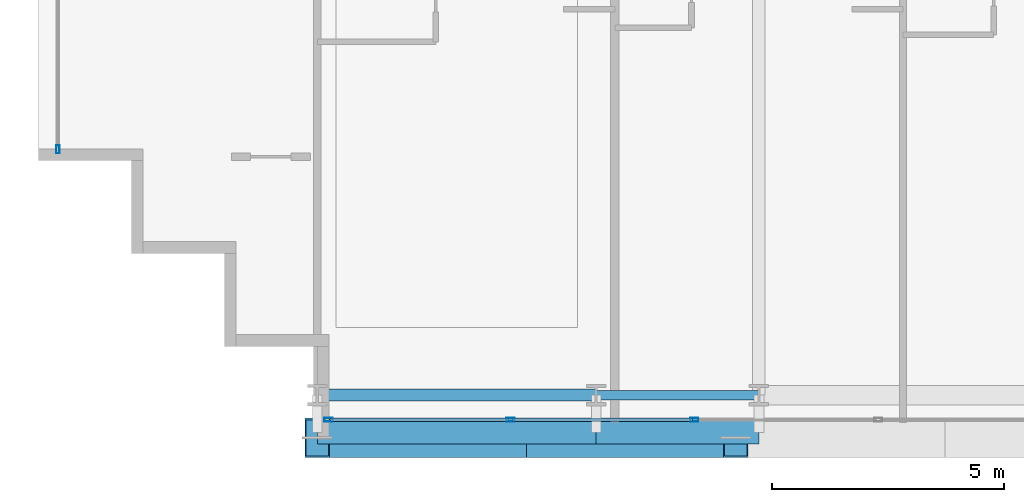
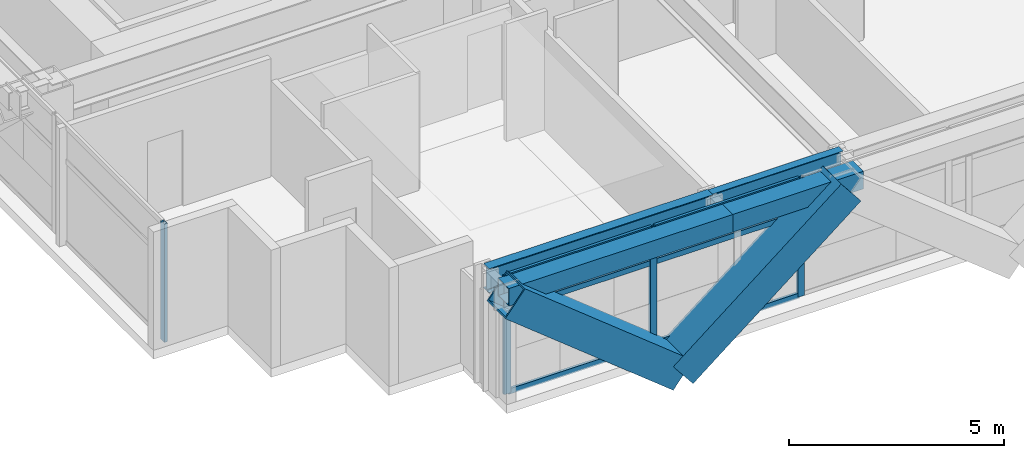
# One storey, part 2 of 38: 12 members, 4 beams, 2 elements without a shape of their own.
"""IFC4 building model written with IfcOpenShell, lengths in metres."""

from ifc_helpers import new_model, si_unit, direction, frame, origin, origin_2d, place, context, subcontext, project, spatial, hollow_rectangle, i_section, extrude, source, transform, mapped, material, layer, layer_set, material_profile, profile_set, type_object, element, aggregate, save


model = new_model("IFC4")

# Units and contexts
model_context = context("Model", 3, precision=1e-05, world=origin(), true_north=direction((0.0, 1.0)))
body_context = subcontext(model_context, "Body", "Model", "MODEL_VIEW")
ifc_project = project(units=[si_unit("LENGTHUNIT", "METRE"), si_unit("AREAUNIT", "SQUARE_METRE"), si_unit("VOLUMEUNIT", "CUBIC_METRE"), si_unit("PLANEANGLEUNIT", "RADIAN"), si_unit("MASSUNIT", "GRAM", prefix="KILO")], contexts=[model_context])

# Site, building, storey
site_placement = place(None, origin())
site = spatial("IfcSite", under=ifc_project, at=site_placement, CompositionType="ELEMENT")
building_placement = place(site_placement, origin())
building = spatial("IfcBuilding", under=site, at=building_placement, Name="Ocotamira Hotel", CompositionType="ELEMENT")
storey_placement = place(building_placement, frame((0.0, 0.0, 45.60009765625)))
storey = spatial("IfcBuildingStorey", under=building, at=storey_placement, Name="L10", CompositionType="ELEMENT", Elevation=45.60009765625)

# Beams
ifc_material_1 = material(Name="Steel ASTM A992 Grade 50", Category="steel")
ifc_material_profile_1 = material_profile(ifc_material_1, i_section(OverallWidth=0.256103515625, OverallDepth=0.693115234375, WebThickness=0.014404296875, FlangeThickness=0.023681640625, FilletRadius=0.01611328125, at=origin_2d()), Name="W27X114")
ifc_profile_set_1 = profile_set([ifc_material_profile_1], Name="Steel ASTM A992 Grade 50")
beam_type_1 = type_object("IfcBeamType", Name="BM-PRIM-W27X114", PredefinedType="BEAM", material=ifc_profile_set_1)
shared_shape_1 = source(origin(), body_context, "Body", "SweptSolid", [
    extrude(i_section(OverallWidth=0.256103515625, OverallDepth=0.693115234375, WebThickness=0.014404296875, FlangeThickness=0.023681640625, FilletRadius=0.01611328125, at=origin_2d()), origin(), (0.0, 0.0, 1.0), 6.0),
])
beam_1_placement = place(storey_placement, frame((14.0, 2.949951171875, 3.00341796875), z_axis=(1.0, 0.0, 0.0), x_axis=(0.0, 1.0, 0.0)))
element("IfcBeam", 1, at=beam_1_placement, inside=storey, type_object=beam_type_1, Name="L10 Girder Y2.95 X14-20", PredefinedType="BEAM", context=body_context, shape_type="MappedRepresentation", body=[
    mapped(shared_shape_1, transform((0.0, 0.0, 0.0), scale=1.0)),
])
ifc_material_profile_2 = material_profile(ifc_material_1, i_section(OverallWidth=0.2099609375, OverallDepth=0.537109375, WebThickness=0.010986328125, FlangeThickness=0.017333984375, FilletRadius=0.012939453125, at=origin_2d()), Name="W21X68")
ifc_profile_set_2 = profile_set([ifc_material_profile_2], Name="Steel ASTM A992 Grade 50")
beam_type_2 = type_object("IfcBeamType", Name="BM-SEC-W21X68", PredefinedType="JOIST", material=ifc_profile_set_2)
shared_shape_2 = source(origin(), body_context, "Body", "SweptSolid", [
    extrude(i_section(OverallWidth=0.2099609375, OverallDepth=0.537109375, WebThickness=0.010986328125, FlangeThickness=0.017333984375, FilletRadius=0.012939453125, at=origin_2d()), origin(), (0.0, 0.0, 1.0), 3.5),
])
beam_2_placement = place(storey_placement, frame((20.0, 2.949951171875, 3.081298828125), z_axis=(1.0, 0.0, 0.0), x_axis=(0.0, 1.0, 0.0)))
element("IfcBeam", 2, at=beam_2_placement, inside=storey, type_object=beam_type_2, Name="L10 Girder Y2.95 X20-23.5", PredefinedType="JOIST", context=body_context, shape_type="MappedRepresentation", body=[
    mapped(shared_shape_2, transform((0.0, 0.0, 0.0), scale=1.0)),
])
ifc_material_2 = material(Name="Steel ASTM A500 Grade C", Category="steel")
ifc_material_profile_3 = material_profile(ifc_material_2, hollow_rectangle(XDim=0.5, YDim=0.5, WallThickness=0.02001953125, at=origin_2d()), Name="HSS500X500X20")
ifc_profile_set_3 = profile_set([ifc_material_profile_3], Name="Steel ASTM A500 Grade C")
beam_type_3 = type_object("IfcBeamType", Name="BM-SPAN-HSS500", PredefinedType="USERDEFINED", material=ifc_profile_set_3)
shared_shape_3 = source(origin(), body_context, "Body", "SweptSolid", [
    extrude(hollow_rectangle(XDim=0.5, YDim=0.5, WallThickness=0.02001953125, at=origin_2d()), origin(), (0.0, 0.0, 1.0), 6.0),
])
beam_3_placement = place(storey_placement, frame((14.0, 2.14990234375, 3.099853515625), z_axis=(1.0, 0.0, 0.0), x_axis=(0.0, 1.0, 0.0)))
element("IfcBeam", 3, at=beam_3_placement, inside=storey, type_object=beam_type_3, Name="L10 Edge Spandrel S X14-20", ObjectType="SPANDREL", PredefinedType="USERDEFINED", context=body_context, shape_type="MappedRepresentation", body=[
    mapped(shared_shape_3, transform((0.0, 0.0, 0.0), scale=1.0)),
])
shared_shape_4 = source(origin(), body_context, "Body", "SweptSolid", [
    extrude(hollow_rectangle(XDim=0.5, YDim=0.5, WallThickness=0.02001953125, at=origin_2d()), origin(), (0.0, 0.0, 1.0), 3.5),
])
beam_4_placement = place(storey_placement, frame((20.0, 2.14990234375, 3.099853515625), z_axis=(1.0, 0.0, 0.0), x_axis=(0.0, 1.0, 0.0)))
element("IfcBeam", 4, at=beam_4_placement, inside=storey, type_object=beam_type_3, Name="L10 Edge Spandrel S X20-23.5", ObjectType="SPANDREL", PredefinedType="USERDEFINED", context=body_context, shape_type="MappedRepresentation", body=[
    mapped(shared_shape_4, transform((0.0, 0.0, 0.0), scale=1.0)),
])

# Members
ifc_material_3 = material(Name="Pale-metal coated steel ASTM A913 Grade 65", Category="steel")
ifc_material_profile_4 = material_profile(ifc_material_3, hollow_rectangle(XDim=0.85009765625, YDim=0.85009765625, WallThickness=0.035888671875, at=origin_2d()), Name="BOX850X850X36")
ifc_profile_set_4 = profile_set([ifc_material_profile_4], Name="Pale-metal coated steel ASTM A913 Grade 65")
member_type_1 = type_object("IfcMemberType", Name="MEM-EXO-BOX850", PredefinedType="BRACE", material=ifc_profile_set_4)
shared_shape_5 = source(origin(), body_context, "Body", "SweptSolid", [
    extrude(hollow_rectangle(XDim=0.85009765625, YDim=0.85009765625, WallThickness=0.035888671875, at=origin_2d()), origin(), (0.0, 0.0, 1.0), 5.7626953125),
])
for number, where, z_axis, x_axis, name in (
    (5, (18.5, 2.030029296875, -0.5), (-0.780881208953, 0.0, 0.624679547852), (0.0, -1.0, 0.0), "L10 Exoskeleton Diagrid S0.1"),
    (6, (18.5, 2.030029296875, -0.5), (0.780881208953, 0.0, 0.624679547852), (0.0, 1.0, 0.0), "L10 Exoskeleton Diagrid S0.2"),
):
    element("IfcMember", number, at=place(storey_placement, frame(where, z_axis=z_axis, x_axis=x_axis)), inside=storey, type_object=member_type_1, Name=name, PredefinedType="BRACE", context=body_context, shape_type="MappedRepresentation", body=[
        mapped(shared_shape_5, transform((0.0, 0.0, 0.0), scale=1.0)),
    ])

# Curtain wall, members
ifc_material_4 = material(Name="Anodised pale-metal aluminium and solar glass", Category="aluminium")
ifc_layer = layer(ifc_material_4, 0.179931640625)
ifc_layer_set = layer_set([ifc_layer], Name="Anodised pale-metal aluminium and solar glass")
curtain_wall_type = type_object("IfcCurtainWallType", Name="CW-SYS2-Z1", PredefinedType="NOTDEFINED", material=ifc_layer_set)
curtain_wall_1_placement = place(storey_placement, origin())
curtain_wall_1 = element("IfcCurtainWall", 7, at=curtain_wall_1_placement, inside=storey, type_object=curtain_wall_type, Name="L10 Curtain Wall CW-2 CW-L10-S1", PredefinedType="NOTDEFINED")
ifc_material_5 = material(Name="Anodised pale-metal aluminium 6063-T6", Category="aluminium")
ifc_material_profile_5 = material_profile(ifc_material_5, hollow_rectangle(XDim=0.080078125, YDim=0.179931640625, WallThickness=0.006103515625, at=origin_2d()), Name="HSS180X80X6")
ifc_profile_set_5 = profile_set([ifc_material_profile_5], Name="Anodised pale-metal aluminium 6063-T6")
member_type_2 = type_object("IfcMemberType", Name="CWM-180X75", PredefinedType="MULLION", material=ifc_profile_set_5)
shared_shape_6 = source(origin(), body_context, "Body", "SweptSolid", [
    extrude(hollow_rectangle(XDim=0.080078125, YDim=0.179931640625, WallThickness=0.006103515625, at=origin_2d()), origin(), (0.0, 0.0, 1.0), 3.349853515625),
])
member_1_placement = place(storey_placement, frame((14.239990234375, 2.419921875, 0.0), z_axis=(0.0, 0.0, 1.0), x_axis=(0.0, 1.0, 0.0)))
member_1 = element("IfcMember", 8, at=member_1_placement, type_object=member_type_2, Name="CW-2 mullion 1", PredefinedType="MULLION", context=body_context, shape_type="MappedRepresentation", body=[
    mapped(shared_shape_6, transform((0.0, 0.0, 0.0), scale=1.0)),
])
member_2_placement = place(storey_placement, frame((18.155517578125, 2.419921875, 0.0), z_axis=(0.0, 0.0, 1.0), x_axis=(0.0, 1.0, 0.0)))
member_2 = element("IfcMember", 9, at=member_2_placement, type_object=member_type_2, Name="CW-2 mullion 2", PredefinedType="MULLION", context=body_context, shape_type="MappedRepresentation", body=[
    mapped(shared_shape_6, transform((0.0, 0.0, 0.0), scale=1.0)),
])
member_3_placement = place(storey_placement, frame((22.111083984375, 2.419921875, 0.0), z_axis=(0.0, 0.0, 1.0), x_axis=(0.0, 1.0, 0.0)))
member_3 = element("IfcMember", 10, at=member_3_placement, type_object=member_type_2, Name="CW-2 mullion 3", PredefinedType="MULLION", context=body_context, shape_type="MappedRepresentation", body=[
    mapped(shared_shape_6, transform((0.0, 0.0, 0.0), scale=1.0)),
])

# Curtain wall, member
curtain_wall_2_placement = place(storey_placement, origin())
curtain_wall_2 = element("IfcCurtainWall", 11, at=curtain_wall_2_placement, inside=storey, type_object=curtain_wall_type, Name="L10 Curtain Wall CW-2 CW-L10-W", PredefinedType="NOTDEFINED")
member_4_placement = place(storey_placement, frame((8.419921875, 8.239990234375, 0.0), z_axis=(0.0, 0.0, 1.0), x_axis=(-1.0, 0.0, 0.0)))
member_4 = element("IfcMember", 12, at=member_4_placement, type_object=member_type_2, Name="CW-2 mullion 1", PredefinedType="MULLION", context=body_context, shape_type="MappedRepresentation", body=[
    mapped(shared_shape_6, transform((0.0, 0.0, 0.0), scale=1.0)),
])
aggregate(curtain_wall_2, [member_4])

# Member
ifc_material_profile_6 = material_profile(ifc_material_5, hollow_rectangle(XDim=0.074951171875, YDim=0.14990234375, WallThickness=0.006103515625, at=origin_2d()), Name="HSS150X75X6")
ifc_profile_set_6 = profile_set([ifc_material_profile_6], Name="Anodised pale-metal aluminium 6063-T6")
member_type_3 = type_object("IfcMemberType", Name="CWT-150X75", PredefinedType="USERDEFINED", material=ifc_profile_set_6)
shared_shape_7 = source(origin(), body_context, "Body", "SweptSolid", [
    extrude(hollow_rectangle(XDim=0.074951171875, YDim=0.14990234375, WallThickness=0.006103515625, at=origin_2d()), origin(), (0.0, 0.0, 1.0), 3.83544921875),
])
member_5_placement = place(storey_placement, frame((14.280029296875, 2.419921875, 0.037353515625), z_axis=(1.0, 0.0, 0.0), x_axis=(0.0, 1.0, 0.0)))
member_5 = element("IfcMember", 13, at=member_5_placement, type_object=member_type_3, Name="CW-2 transom 1.1", ObjectType="TRANSOM", PredefinedType="USERDEFINED", context=body_context, shape_type="MappedRepresentation", body=[
    mapped(shared_shape_7, transform((0.0, 0.0, 0.0), scale=1.0)),
])

member_6_placement = place(storey_placement, frame((14.280029296875, 2.419921875, 2.349853515625), z_axis=(1.0, 0.0, 0.0), x_axis=(0.0, 1.0, 0.0)))
member_6 = element("IfcMember", 14, at=member_6_placement, type_object=member_type_3, Name="CW-2 transom 1.2", ObjectType="TRANSOM", PredefinedType="USERDEFINED", context=body_context, shape_type="MappedRepresentation", body=[
    mapped(shared_shape_7, transform((0.0, 0.0, 0.0), scale=1.0)),
])

member_7_placement = place(storey_placement, frame((14.280029296875, 2.419921875, 3.3125), z_axis=(1.0, 0.0, 0.0), x_axis=(0.0, 1.0, 0.0)))
member_7 = element("IfcMember", 15, at=member_7_placement, type_object=member_type_3, Name="CW-2 transom 1.3", ObjectType="TRANSOM", PredefinedType="USERDEFINED", context=body_context, shape_type="MappedRepresentation", body=[
    mapped(shared_shape_7, transform((0.0, 0.0, 0.0), scale=1.0)),
])

shared_shape_8 = source(origin(), body_context, "Body", "SweptSolid", [
    extrude(hollow_rectangle(XDim=0.074951171875, YDim=0.14990234375, WallThickness=0.006103515625, at=origin_2d()), origin(), (0.0, 0.0, 1.0), 3.87548828125),
])
member_8_placement = place(storey_placement, frame((18.195556640625, 2.419921875, 0.037353515625), z_axis=(1.0, 0.0, 0.0), x_axis=(0.0, 1.0, 0.0)))
member_8 = element("IfcMember", 16, at=member_8_placement, type_object=member_type_3, Name="CW-2 transom 2.1", ObjectType="TRANSOM", PredefinedType="USERDEFINED", context=body_context, shape_type="MappedRepresentation", body=[
    mapped(shared_shape_8, transform((0.0, 0.0, 0.0), scale=1.0)),
])

member_9_placement = place(storey_placement, frame((18.195556640625, 2.419921875, 2.349853515625), z_axis=(1.0, 0.0, 0.0), x_axis=(0.0, 1.0, 0.0)))
member_9 = element("IfcMember", 17, at=member_9_placement, type_object=member_type_3, Name="CW-2 transom 2.2", ObjectType="TRANSOM", PredefinedType="USERDEFINED", context=body_context, shape_type="MappedRepresentation", body=[
    mapped(shared_shape_8, transform((0.0, 0.0, 0.0), scale=1.0)),
])

member_10_placement = place(storey_placement, frame((18.195556640625, 2.419921875, 3.3125), z_axis=(1.0, 0.0, 0.0), x_axis=(0.0, 1.0, 0.0)))
member_10 = element("IfcMember", 18, at=member_10_placement, type_object=member_type_3, Name="CW-2 transom 2.3", ObjectType="TRANSOM", PredefinedType="USERDEFINED", context=body_context, shape_type="MappedRepresentation", body=[
    mapped(shared_shape_8, transform((0.0, 0.0, 0.0), scale=1.0)),
])

aggregate(curtain_wall_1, [member_1, member_2, member_3, member_5, member_6, member_7, member_8, member_9, member_10])

save(model, "model.ifc")
